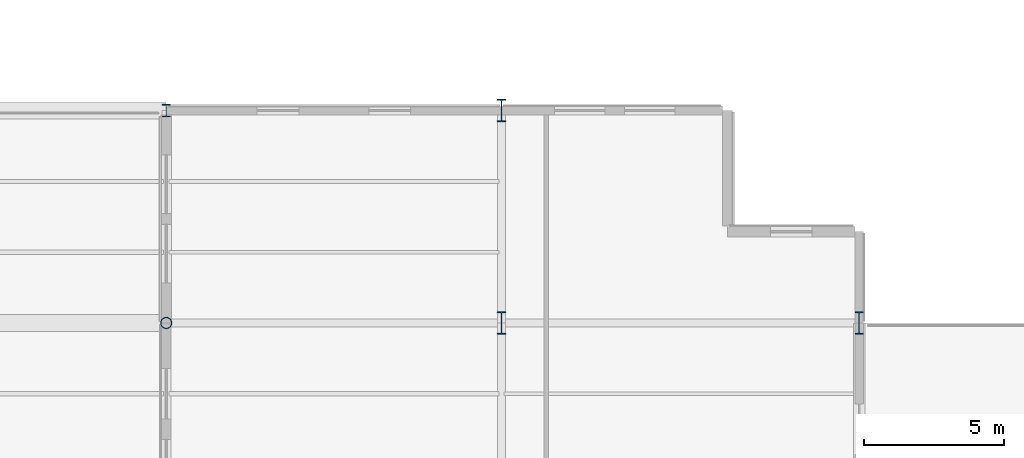
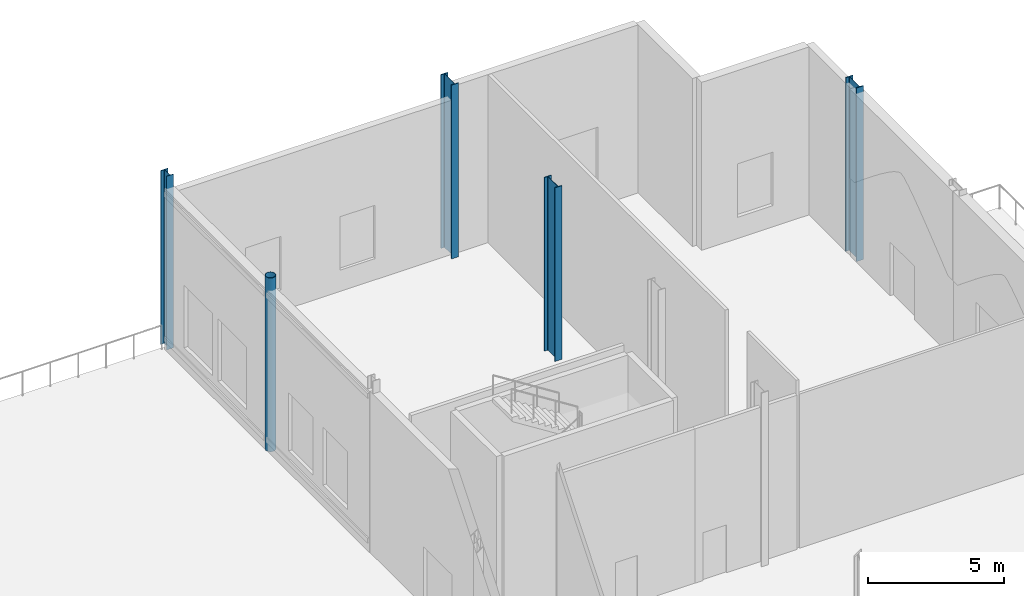
# One storey, part 26 of 176: 5 columns.
"""IFC4 building model written with IfcOpenShell, lengths in metres."""

import ifcopenshell
import ifcopenshell.guid

model = None  # the IFC model being written
_history = None  # IfcOwnerHistory: only IFC2X3 demands one
_inside = {}  # id of a spatial element -> (the spatial element, [elements in it])
_under = {}  # id of a project, library or spatial element -> (it, [spatial elements below it])
_declared = {}  # id of a project -> (the project, [libraries it declares])
_typed = {}  # id of a type object -> (the type object, [elements of that type])
_made_of = {}  # id of a material, layer set ... -> (it, [elements and type objects made of it])


def new_model(schema):
    """Start an empty IFC model of exactly this schema.

    Asked for "IFC4X3", IfcOpenShell would pick the latest addendum, in which some entities
    have other attributes; the version numbers below select the first issue.
    IFC2X3 requires an IfcOwnerHistory on every rooted entity: one is made here for all.
    """
    global model, _history
    if schema == "IFC4X3":
        model = ifcopenshell.file(schema_version=(4, 3, 0, 0))
    else:
        model = ifcopenshell.file(schema=schema)
    _inside.clear()
    _under.clear()
    _declared.clear()
    _typed.clear()
    _made_of.clear()
    _history = None
    if model.schema == "IFC2X3":
        org = make("IfcOrganization", Name="unknown")
        user = make(
            "IfcPersonAndOrganization",
            ThePerson=make("IfcPerson", FamilyName="unknown"),
            TheOrganization=org,
        )
        app = make(
            "IfcApplication",
            ApplicationDeveloper=org,
            Version="unknown",
            ApplicationFullName="unknown",
            ApplicationIdentifier="unknown",
        )
        _history = make(
            "IfcOwnerHistory",
            OwningUser=user,
            OwningApplication=app,
            ChangeAction="ADDED",
            CreationDate=0,
        )
    return model


def make(cls, **values):
    """One entity of the class cls with the attributes given. An attribute that is None is left unset."""
    return model.create_entity(
        cls, **{name: value for name, value in values.items() if value is not None}
    )


def rooted(cls, **values):
    """An entity with a GlobalId (a new one), such as an element, a storey or a relation."""
    return make(cls, GlobalId=ifcopenshell.guid.new(), OwnerHistory=_history, **values)


def si_unit(unit_type, name, prefix=None):
    """IfcSIUnit, for example si_unit("LENGTHUNIT", "METRE", prefix="MILLI")."""
    return make("IfcSIUnit", UnitType=unit_type, Prefix=prefix, Name=name)


def assignment(units):
    """IfcUnitAssignment: the units of a project."""
    return None if units is None else make("IfcUnitAssignment", Units=units)


def point(xyz):
    """IfcCartesianPoint."""
    return None if xyz is None else make("IfcCartesianPoint", Coordinates=xyz)


def direction(xyz):
    """IfcDirection."""
    return None if xyz is None else make("IfcDirection", DirectionRatios=xyz)


def frame(location, z_axis=None, x_axis=None):
    """IfcAxis2Placement3D, a coordinate frame: its origin and axes. An axis left out is left unset."""
    return make(
        "IfcAxis2Placement3D",
        Location=point(location),
        Axis=direction(z_axis),
        RefDirection=direction(x_axis),
    )


def frame_2d(location, x_axis=None):
    """IfcAxis2Placement2D, a coordinate frame in the plane: its origin and x axis."""
    return make(
        "IfcAxis2Placement2D", Location=point(location), RefDirection=direction(x_axis)
    )


def origin():
    """The frame at (0, 0, 0) with its axes left unset."""
    return frame((0.0, 0.0, 0.0))


def origin_2d():
    """The frame at (0, 0) in the plane with its x axis left unset."""
    return frame_2d((0.0, 0.0))


def place(relative_to, where):
    """IfcLocalPlacement: puts the frame where relative to a parent placement (None: the world)."""
    return make(
        "IfcLocalPlacement", PlacementRelTo=relative_to, RelativePlacement=where
    )


def context(
    kind, dimensions, precision=None, world=None, true_north=None, identifier=None
):
    """IfcGeometricRepresentationContext, for example the 3D "Model" context."""
    return make(
        "IfcGeometricRepresentationContext",
        ContextIdentifier=identifier,
        ContextType=kind,
        CoordinateSpaceDimension=dimensions,
        Precision=precision,
        WorldCoordinateSystem=world,
        TrueNorth=true_north,
    )


def subcontext(parent, identifier, kind, view, scale=None):
    """IfcGeometricRepresentationSubContext, for example "Body" below "Model"."""
    return make(
        "IfcGeometricRepresentationSubContext",
        ContextIdentifier=identifier,
        ContextType=kind,
        ParentContext=parent,
        TargetScale=scale,
        TargetView=view,
    )


def project(units=None, contexts=None):
    """IfcProject with its units and contexts."""
    return rooted(
        "IfcProject",
        Name="project",
        RepresentationContexts=contexts,
        UnitsInContext=assignment(units),
    )


def spatial(cls, under=None, at=None, **own):
    """A site, building, storey or space (cls), placed at a placement, below another one or the project."""
    s = rooted(cls, ObjectPlacement=at, **own)
    if under is not None:
        _under.setdefault(under.id(), (under, []))[1].append(s)
    return s


def profile(cls, at=None, kind="AREA", **sizes):
    """A parametric profile (cls). Its sizes go by their IFC names, for example OverallWidth=200.0."""
    return make(cls, ProfileType=kind, Position=at, **sizes)


def hollow_circle(**sizes):
    """IfcCircleHollowProfileDef."""
    return profile("IfcCircleHollowProfileDef", **sizes)


def i_section(**sizes):
    """IfcIShapeProfileDef."""
    return profile("IfcIShapeProfileDef", **sizes)


def extrude(swept, where, along, depth):
    """IfcExtrudedAreaSolid: the profile swept, set in the frame where, extruded along a direction by depth."""
    return make(
        "IfcExtrudedAreaSolid",
        SweptArea=swept,
        Position=where,
        ExtrudedDirection=direction(along),
        Depth=depth,
    )


def shape(context_of_items, identifier, shape_type, items):
    """IfcShapeRepresentation: the items that make up one representation, for example the "Body"."""
    return make(
        "IfcShapeRepresentation",
        ContextOfItems=context_of_items,
        RepresentationIdentifier=identifier,
        RepresentationType=shape_type,
        Items=items,
    )


def material(Name=None, Category=None):
    """IfcMaterial."""
    return make("IfcMaterial", Name=Name, Category=Category)


def material_profile(
    of_material, cross_section, Name=None, Category=None, Priority=None
):
    """IfcMaterialProfile: a cross section and its material."""
    return make(
        "IfcMaterialProfile",
        Name=Name,
        Material=of_material,
        Profile=cross_section,
        Priority=Priority,
        Category=Category,
    )


def profile_set(profiles, Name=None, composite=None):
    """IfcMaterialProfileSet."""
    return make(
        "IfcMaterialProfileSet",
        Name=Name,
        MaterialProfiles=profiles,
        CompositeProfile=composite,
    )


def made_of(thing, what):
    """Note that an element or type object is made of a material, layer set ...; save() writes the relation."""
    if what is not None:
        _made_of.setdefault(what.id(), (what, []))[1].append(thing)
    return thing


def type_object(cls, material=None, **own):
    """A type object (cls), such as IfcWallType, which elements share."""
    return made_of(rooted(cls, **own), material)


def element(
    cls,
    number,
    at=None,
    inside=None,
    cuts=None,
    type_object=None,
    material=None,
    context=None,
    identifier="Body",
    shape_type=None,
    held_by="IfcProductDefinitionShape",
    body=None,
    shapes=None,
    **own,
):
    """One element of the class cls, such as IfcWall. Its Tag is "e" and its number.

    at: its placement. inside: the storey or other place that contains it. cuts: it is an
    opening in that element (IfcRelVoidsElement). A single representation is given by context,
    identifier, shape_type and body (its items); several are given by shapes. held_by: the class
    of the entity that holds the representations. save() writes the other relations.
    """
    e = rooted(cls, Tag="e%d" % number, ObjectPlacement=at, **own)
    if body is not None:
        shapes = [shape(context, identifier, shape_type, body)]
    if shapes is not None:
        e.Representation = make(held_by, Representations=shapes)
    if inside is not None:
        _inside.setdefault(inside.id(), (inside, []))[1].append(e)
    if cuts is not None:
        rooted(
            "IfcRelVoidsElement", RelatingBuildingElement=cuts, RelatedOpeningElement=e
        )
    if type_object is not None:
        _typed.setdefault(type_object.id(), (type_object, []))[1].append(e)
    return made_of(e, material)


def aggregate(whole, parts):
    """IfcRelAggregates: a whole, such as a stair, and the parts it consists of."""
    return rooted("IfcRelAggregates", RelatingObject=whole, RelatedObjects=parts)


def save(model, path):
    """Write the relations noted so far, then the file.

    IfcRelAggregates (storeys below a building ...), IfcRelContainedInSpatialStructure (elements
    in a storey), IfcRelDefinesByType, IfcRelAssociatesMaterial and IfcRelDeclares: one each for
    every whole, place, type object, material and project.
    """
    for whole, parts in _under.values():
        aggregate(whole, parts)
    for where, things in _inside.values():
        rooted(
            "IfcRelContainedInSpatialStructure",
            RelatedElements=things,
            RelatingStructure=where,
        )
    for kind, things in _typed.values():
        rooted("IfcRelDefinesByType", RelatedObjects=things, RelatingType=kind)
    for what, things in _made_of.values():
        rooted("IfcRelAssociatesMaterial", RelatedObjects=things, RelatingMaterial=what)
    for by, libraries in _declared.values():
        rooted("IfcRelDeclares", RelatingContext=by, RelatedDefinitions=libraries)
    model.write(path)


model = new_model("IFC4")

# Units and contexts
model_context = context("Model", 3, precision=1e-05, world=origin(), true_north=direction((0.0, 1.0)))
body_context = subcontext(model_context, "Body", "Model", "MODEL_VIEW")
ifc_project = project(units=[si_unit("LENGTHUNIT", "METRE"), si_unit("AREAUNIT", "SQUARE_METRE"), si_unit("VOLUMEUNIT", "CUBIC_METRE"), si_unit("PLANEANGLEUNIT", "RADIAN"), si_unit("MASSUNIT", "GRAM", prefix="KILO")], contexts=[model_context])

# Site, building, storey
site_placement = place(None, origin())
site = spatial("IfcSite", under=ifc_project, at=site_placement, CompositionType="ELEMENT")
building_placement = place(site_placement, origin())
building = spatial("IfcBuilding", under=site, at=building_placement, Name="Vekula Escarpment Museum", CompositionType="ELEMENT")
storey_placement = place(building_placement, origin())
storey = spatial("IfcBuildingStorey", under=building, at=storey_placement, Name="L01", CompositionType="ELEMENT", Elevation=0.0)

# Columns
ifc_material_1 = material(Name="Steel S355", Category="steel")
ifc_material_profile_1 = material_profile(ifc_material_1, hollow_circle(Radius=0.203125, WallThickness=0.02001953125, at=origin_2d()), Name="CHS 406.4x20")
ifc_profile_set_1 = profile_set([ifc_material_profile_1], Name="Steel S355")
column_type_1 = type_object("IfcColumnType", Name="COL-S-CHS406", PredefinedType="COLUMN", material=ifc_profile_set_1)
column_1_placement = place(storey_placement, frame((167.0, 128.39990234375, 0.0), z_axis=(0.0, 0.0, 1.0), x_axis=(1.0, 0.0, 0.0)))
element("IfcColumn", 1, at=column_1_placement, inside=storey, type_object=column_type_1, Name="Column L01 (167.0,128.4)", PredefinedType="COLUMN", context=body_context, shape_type="SweptSolid", body=[
    extrude(hollow_circle(Radius=0.203125, WallThickness=0.02001953125, at=origin_2d()), origin(), (0.0, 0.0, 1.0), 7.800048828125),
])
ifc_material_2 = material(Name="Steel S355", Category="steel")
ifc_material_profile_2 = material_profile(ifc_material_2, i_section(OverallWidth=0.300048828125, OverallDepth=0.43994140625, WebThickness=0.011474609375, FlangeThickness=0.02099609375, FilletRadius=0.027099609375, at=origin_2d()), Name="HEA 450")
ifc_profile_set_2 = profile_set([ifc_material_profile_2], Name="Steel S355")
column_type_2 = type_object("IfcColumnType", Name="COL-S-HEA450", PredefinedType="COLUMN", material=ifc_profile_set_2)
column_2_placement = place(storey_placement, frame((167.0, 136.0, 0.0), z_axis=(0.0, 0.0, 1.0), x_axis=(1.0, 0.0, 0.0)))
element("IfcColumn", 2, at=column_2_placement, inside=storey, type_object=column_type_2, Name="Column L01 (167.0,136.0)", PredefinedType="COLUMN", context=body_context, shape_type="SweptSolid", body=[
    extrude(i_section(OverallWidth=0.300048828125, OverallDepth=0.43994140625, WebThickness=0.011474609375, FlangeThickness=0.02099609375, FilletRadius=0.027099609375, at=origin_2d()), origin(), (0.0, 0.0, 1.0), 7.800048828125),
])
ifc_material_3 = material(Name="Steel S355", Category="steel")
ifc_material_profile_3 = material_profile(ifc_material_3, i_section(OverallWidth=0.300048828125, OverallDepth=0.800048828125, WebThickness=0.017578125, FlangeThickness=0.032958984375, FilletRadius=0.030029296875, at=origin_2d()), Name="HEB 800")
ifc_profile_set_3 = profile_set([ifc_material_profile_3], Name="Steel S355")
column_type_3 = type_object("IfcColumnType", Name="COL-S-HEB800", PredefinedType="COLUMN", material=ifc_profile_set_3)
for number, where, z_axis, x_axis, name in (
    (3, (179.0, 128.39990234375, 0.0), (0.0, 0.0, 1.0), (1.0, 0.0, 0.0), "Column L01 (179.0,128.4)"),
    (4, (179.0, 136.0, 0.0), (0.0, 0.0, 1.0), (1.0, 0.0, 0.0), "Column L01 (179.0,136.0)"),
    (5, (191.800048828125, 128.39990234375, 0.0), (0.0, 0.0, 1.0), (1.0, 0.0, 0.0), "Column L01 (191.8,128.4)"),
):
    element("IfcColumn", number, at=place(storey_placement, frame(where, z_axis=z_axis, x_axis=x_axis)), inside=storey, type_object=column_type_3, Name=name, PredefinedType="COLUMN", context=body_context, shape_type="SweptSolid", body=[
        extrude(i_section(OverallWidth=0.300048828125, OverallDepth=0.800048828125, WebThickness=0.017578125, FlangeThickness=0.032958984375, FilletRadius=0.030029296875, at=origin_2d()), origin(), (0.0, 0.0, 1.0), 7.800048828125),
    ])

save(model, "model.ifc")
